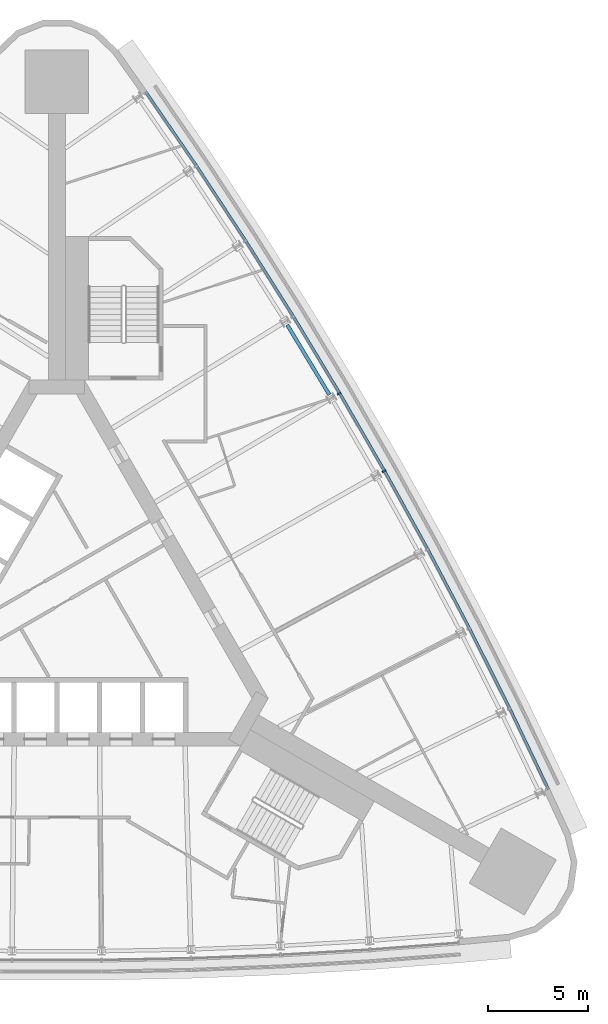
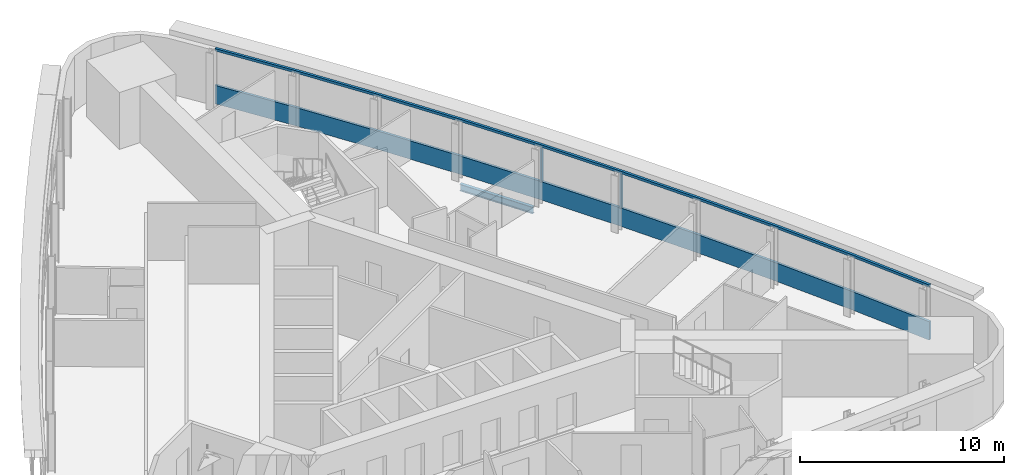
# One storey, part 6 of 14: 4 members, 1 beam, 1 element without a shape of its own.
"""IFC4 building model written with IfcOpenShell, lengths in metres."""

from ifc_helpers import new_model, si_unit, direction, frame, origin, origin_2d, place, context, subcontext, project, spatial, polyline, rectangle, i_section, outline, extrude, material, material_profile, profile_set, type_object, element, aggregate, save


model = new_model("IFC4")

# Units and contexts
model_context = context("Model", 3, precision=1e-05, world=origin(), true_north=direction((0.0, 1.0)))
body_context = subcontext(model_context, "Body", "Model", "MODEL_VIEW")
ifc_project = project(units=[si_unit("LENGTHUNIT", "METRE"), si_unit("AREAUNIT", "SQUARE_METRE"), si_unit("VOLUMEUNIT", "CUBIC_METRE"), si_unit("PLANEANGLEUNIT", "RADIAN"), si_unit("MASSUNIT", "GRAM", prefix="KILO")], contexts=[model_context])

# Site, building, storey
site_placement = place(None, origin())
site = spatial("IfcSite", under=ifc_project, at=site_placement, CompositionType="ELEMENT")
building_placement = place(site_placement, origin())
building = spatial("IfcBuilding", under=site, at=building_placement, Name="Noor Cloister Tower", CompositionType="ELEMENT")
storey_placement = place(building_placement, frame((0.0, 0.0, 72.60009765625)))
storey = spatial("IfcBuildingStorey", under=building, at=storey_placement, Name="L18", CompositionType="ELEMENT", Elevation=72.60009765625)

# Curtain wall, members
ifc_material_1 = material(Name="Aluminium 6063-T6 anodised", Category="aluminium")
curtain_wall_type = type_object("IfcCurtainWallType", Name="Ribbon curtain wall, lower tower CW1", PredefinedType="NOTDEFINED", material=ifc_material_1)
curtain_wall_placement = place(storey_placement, origin())
curtain_wall = element("IfcCurtainWall", 1, at=curtain_wall_placement, inside=storey, type_object=curtain_wall_type, Name="CW1 L18 NE run 3", PredefinedType="NOTDEFINED")
ifc_material_2 = material(Name="Aluminium 6063-T6 anodised", Category="aluminium")
member_type_1 = type_object("IfcMemberType", Name="Head transom CW1 150", PredefinedType="USERDEFINED", material=ifc_material_2)
member_1_placement = place(storey_placement, frame((0.0, 0.0, 3.14990234375)))
member_1 = element("IfcMember", 2, at=member_1_placement, type_object=member_type_1, Name="CW1 head transom", ObjectType="TRANSOM", PredefinedType="USERDEFINED", context=body_context, shape_type="SweptSolid", body=[
    extrude(outline(polyline([(24.748779296875, -9.064697265625), (22.805908203125, -5.005615234375), (20.78515625, -0.985107421875), (18.687255859375, 2.995849609375), (16.5126953125, 6.935546875), (14.262939453125, 10.832763671875), (11.938232421875, 14.685546875), (9.53955078125, 18.492919921875), (7.06787109375, 22.25341796875), (4.524169921875, 25.96533203125), (4.40869140625, 25.88623046875), (6.95166015625, 22.17529296875), (9.421875, 18.417236328125), (11.81884765625, 14.612060546875), (14.142333984375, 10.761474609375), (16.390869140625, 6.86669921875), (18.56396484375, 2.929443359375), (20.66064453125, -1.049072265625), (22.68017578125, -5.0673828125), (24.62255859375, -9.125), (24.748779296875, -9.064697265625)])), origin(), (0.0, 0.0, 1.0), 0.14990234375),
])
ifc_material_3 = material(Name="Aluminium 6063-T6 anodised", Category="aluminium")
ifc_material_profile_1 = material_profile(ifc_material_3, rectangle(XDim=0.199951171875, YDim=0.080078125, at=origin_2d()), Name="200 x 80 mullion")
ifc_profile_set_1 = profile_set([ifc_material_profile_1], Name="Aluminium 6063-T6 anodised")
member_type_2 = type_object("IfcMemberType", Name="Mullion CW1 80 x 200", PredefinedType="MULLION", material=ifc_profile_set_1)
member_2_placement = place(storey_placement, frame((16.42578125, 6.886474609375, 1.099853515625), z_axis=(0.0, 0.0, 1.0), x_axis=(-0.870808115959, -0.49162305192, 0.0)))
member_2 = element("IfcMember", 3, at=member_2_placement, type_object=member_type_2, Name="CW1 mullion 5", PredefinedType="MULLION", context=body_context, shape_type="SweptSolid", body=[
    extrude(rectangle(XDim=0.199951171875, YDim=0.080078125, at=origin_2d()), origin(), (0.0, 0.0, 1.0), 2.050048828125),
])
member_3_placement = place(storey_placement, frame((14.1767578125, 10.78173828125, 1.099853515625), z_axis=(0.0, 0.0, 1.0), x_axis=(-0.861162110029, -0.508330424282, 0.0)))
member_3 = element("IfcMember", 4, at=member_3_placement, type_object=member_type_2, Name="CW1 mullion 6", PredefinedType="MULLION", context=body_context, shape_type="SweptSolid", body=[
    extrude(rectangle(XDim=0.199951171875, YDim=0.080078125, at=origin_2d()), origin(), (0.0, 0.0, 1.0), 2.050048828125),
])
ifc_material_4 = material(Name="Aluminium 6063-T6 anodised", Category="aluminium")
member_type_3 = type_object("IfcMemberType", Name="Sill transom CW1 1100", PredefinedType="USERDEFINED", material=ifc_material_4)
member_4_placement = place(storey_placement, origin())
member_4 = element("IfcMember", 5, at=member_4_placement, type_object=member_type_3, Name="CW1 sill transom", ObjectType="TRANSOM", PredefinedType="USERDEFINED", context=body_context, shape_type="SweptSolid", body=[
    extrude(outline(polyline([(24.748779296875, -9.064697265625), (22.805908203125, -5.005615234375), (20.78515625, -0.985107421875), (18.687255859375, 2.995849609375), (16.5126953125, 6.935546875), (14.262939453125, 10.832763671875), (11.938232421875, 14.685546875), (9.53955078125, 18.492919921875), (7.06787109375, 22.25341796875), (4.524169921875, 25.96533203125), (4.40869140625, 25.88623046875), (6.95166015625, 22.17529296875), (9.421875, 18.417236328125), (11.81884765625, 14.612060546875), (14.142333984375, 10.761474609375), (16.390869140625, 6.86669921875), (18.56396484375, 2.929443359375), (20.66064453125, -1.049072265625), (22.68017578125, -5.0673828125), (24.62255859375, -9.125), (24.748779296875, -9.064697265625)])), origin(), (0.0, 0.0, 1.0), 1.099853515625),
])
aggregate(curtain_wall, [member_2, member_3, member_4, member_1])

# Beam
ifc_material_5 = material(Name="Steel ASTM A992 Gr 50", Category="steel")
ifc_material_profile_2 = material_profile(ifc_material_5, i_section(OverallWidth=0.177978515625, OverallDepth=0.406005859375, WebThickness=0.0078125, FlangeThickness=0.0126953125, FilletRadius=0.01025390625, at=origin_2d()), Name="W410x60")
ifc_profile_set_2 = profile_set([ifc_material_profile_2], Name="Steel ASTM A992 Gr 50")
beam_type = type_object("IfcBeamType", Name="Spandrel beam W410x60", PredefinedType="SPANDREL", material=ifc_profile_set_2)
beam_placement = place(storey_placement, frame((13.684814453125, 10.72607421875, -0.403076171875), z_axis=(-0.516638531393, 0.856203613564, 0.0), x_axis=(-0.856203613564, -0.516638531393, 0.0)))
element("IfcBeam", 6, at=beam_placement, inside=storey, type_object=beam_type, Name="Spandrel beam NE 06 L18", PredefinedType="SPANDREL", context=body_context, shape_type="SweptSolid", body=[
    extrude(i_section(OverallWidth=0.177978515625, OverallDepth=0.406005859375, WebThickness=0.0078125, FlangeThickness=0.0126953125, FilletRadius=0.01025390625, at=origin_2d()), origin(), (0.0, 0.0, 1.0), 4.085205078125),
])

save(model, "model.ifc")
